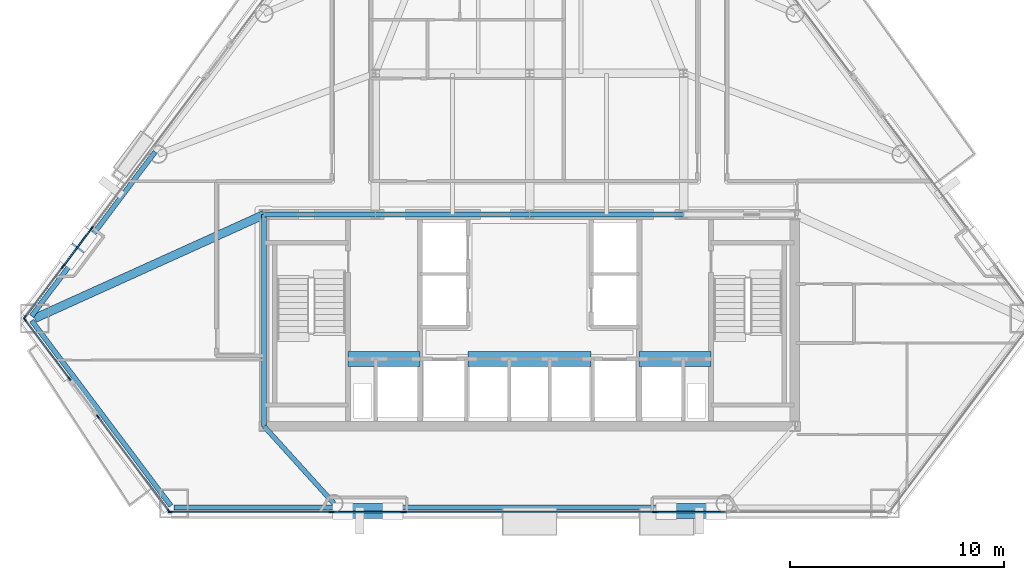
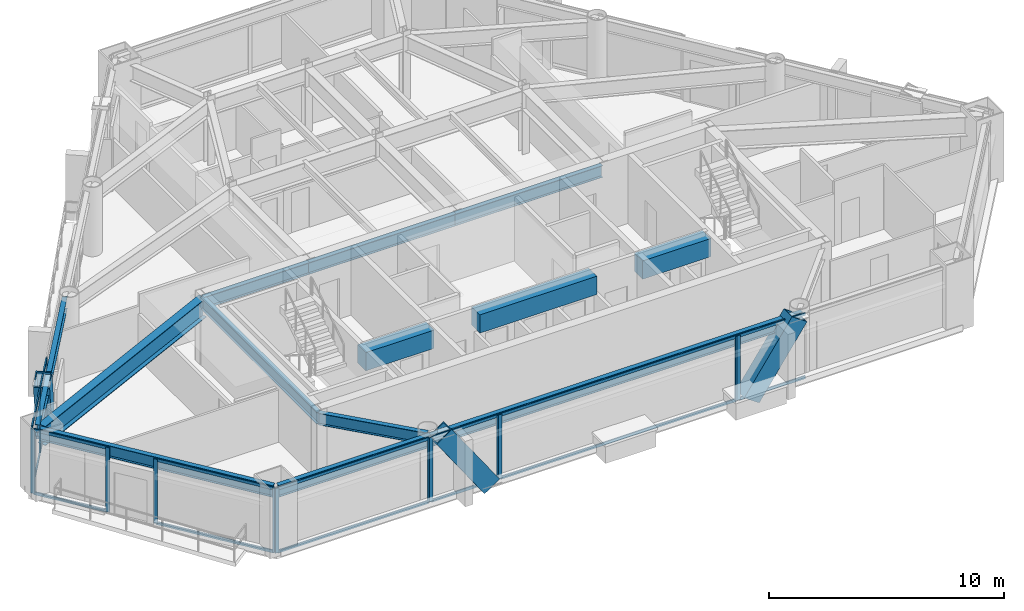
# One storey, part 2 of 10: 35 members, 13 beams, 9 elements without a shape of their own.
"""IFC4 building model written with IfcOpenShell, lengths in metres."""

import ifcopenshell
import ifcopenshell.guid

model = None  # the IFC model being written
_history = None  # IfcOwnerHistory: only IFC2X3 demands one
_inside = {}  # id of a spatial element -> (the spatial element, [elements in it])
_under = {}  # id of a project, library or spatial element -> (it, [spatial elements below it])
_declared = {}  # id of a project -> (the project, [libraries it declares])
_typed = {}  # id of a type object -> (the type object, [elements of that type])
_made_of = {}  # id of a material, layer set ... -> (it, [elements and type objects made of it])


def new_model(schema):
    """Start an empty IFC model of exactly this schema.

    Asked for "IFC4X3", IfcOpenShell would pick the latest addendum, in which some entities
    have other attributes; the version numbers below select the first issue.
    IFC2X3 requires an IfcOwnerHistory on every rooted entity: one is made here for all.
    """
    global model, _history
    if schema == "IFC4X3":
        model = ifcopenshell.file(schema_version=(4, 3, 0, 0))
    else:
        model = ifcopenshell.file(schema=schema)
    _inside.clear()
    _under.clear()
    _declared.clear()
    _typed.clear()
    _made_of.clear()
    _history = None
    if model.schema == "IFC2X3":
        org = make("IfcOrganization", Name="unknown")
        user = make(
            "IfcPersonAndOrganization",
            ThePerson=make("IfcPerson", FamilyName="unknown"),
            TheOrganization=org,
        )
        app = make(
            "IfcApplication",
            ApplicationDeveloper=org,
            Version="unknown",
            ApplicationFullName="unknown",
            ApplicationIdentifier="unknown",
        )
        _history = make(
            "IfcOwnerHistory",
            OwningUser=user,
            OwningApplication=app,
            ChangeAction="ADDED",
            CreationDate=0,
        )
    return model


def make(cls, **values):
    """One entity of the class cls with the attributes given. An attribute that is None is left unset."""
    return model.create_entity(
        cls, **{name: value for name, value in values.items() if value is not None}
    )


def rooted(cls, **values):
    """An entity with a GlobalId (a new one), such as an element, a storey or a relation."""
    return make(cls, GlobalId=ifcopenshell.guid.new(), OwnerHistory=_history, **values)


def si_unit(unit_type, name, prefix=None):
    """IfcSIUnit, for example si_unit("LENGTHUNIT", "METRE", prefix="MILLI")."""
    return make("IfcSIUnit", UnitType=unit_type, Prefix=prefix, Name=name)


def assignment(units):
    """IfcUnitAssignment: the units of a project."""
    return None if units is None else make("IfcUnitAssignment", Units=units)


def point(xyz):
    """IfcCartesianPoint."""
    return None if xyz is None else make("IfcCartesianPoint", Coordinates=xyz)


def direction(xyz):
    """IfcDirection."""
    return None if xyz is None else make("IfcDirection", DirectionRatios=xyz)


def frame(location, z_axis=None, x_axis=None):
    """IfcAxis2Placement3D, a coordinate frame: its origin and axes. An axis left out is left unset."""
    return make(
        "IfcAxis2Placement3D",
        Location=point(location),
        Axis=direction(z_axis),
        RefDirection=direction(x_axis),
    )


def frame_2d(location, x_axis=None):
    """IfcAxis2Placement2D, a coordinate frame in the plane: its origin and x axis."""
    return make(
        "IfcAxis2Placement2D", Location=point(location), RefDirection=direction(x_axis)
    )


def origin():
    """The frame at (0, 0, 0) with its axes left unset."""
    return frame((0.0, 0.0, 0.0))


def origin_2d():
    """The frame at (0, 0) in the plane with its x axis left unset."""
    return frame_2d((0.0, 0.0))


def place(relative_to, where):
    """IfcLocalPlacement: puts the frame where relative to a parent placement (None: the world)."""
    return make(
        "IfcLocalPlacement", PlacementRelTo=relative_to, RelativePlacement=where
    )


def context(
    kind, dimensions, precision=None, world=None, true_north=None, identifier=None
):
    """IfcGeometricRepresentationContext, for example the 3D "Model" context."""
    return make(
        "IfcGeometricRepresentationContext",
        ContextIdentifier=identifier,
        ContextType=kind,
        CoordinateSpaceDimension=dimensions,
        Precision=precision,
        WorldCoordinateSystem=world,
        TrueNorth=true_north,
    )


def subcontext(parent, identifier, kind, view, scale=None):
    """IfcGeometricRepresentationSubContext, for example "Body" below "Model"."""
    return make(
        "IfcGeometricRepresentationSubContext",
        ContextIdentifier=identifier,
        ContextType=kind,
        ParentContext=parent,
        TargetScale=scale,
        TargetView=view,
    )


def project(units=None, contexts=None):
    """IfcProject with its units and contexts."""
    return rooted(
        "IfcProject",
        Name="project",
        RepresentationContexts=contexts,
        UnitsInContext=assignment(units),
    )


def spatial(cls, under=None, at=None, **own):
    """A site, building, storey or space (cls), placed at a placement, below another one or the project."""
    s = rooted(cls, ObjectPlacement=at, **own)
    if under is not None:
        _under.setdefault(under.id(), (under, []))[1].append(s)
    return s


def profile(cls, at=None, kind="AREA", **sizes):
    """A parametric profile (cls). Its sizes go by their IFC names, for example OverallWidth=200.0."""
    return make(cls, ProfileType=kind, Position=at, **sizes)


def rectangle(**sizes):
    """IfcRectangleProfileDef."""
    return profile("IfcRectangleProfileDef", **sizes)


def hollow_rectangle(**sizes):
    """IfcRectangleHollowProfileDef."""
    return profile("IfcRectangleHollowProfileDef", **sizes)


def i_section(**sizes):
    """IfcIShapeProfileDef."""
    return profile("IfcIShapeProfileDef", **sizes)


def extrude(swept, where, along, depth):
    """IfcExtrudedAreaSolid: the profile swept, set in the frame where, extruded along a direction by depth."""
    return make(
        "IfcExtrudedAreaSolid",
        SweptArea=swept,
        Position=where,
        ExtrudedDirection=direction(along),
        Depth=depth,
    )


def shape(context_of_items, identifier, shape_type, items):
    """IfcShapeRepresentation: the items that make up one representation, for example the "Body"."""
    return make(
        "IfcShapeRepresentation",
        ContextOfItems=context_of_items,
        RepresentationIdentifier=identifier,
        RepresentationType=shape_type,
        Items=items,
    )


def material(Name=None, Category=None):
    """IfcMaterial."""
    return make("IfcMaterial", Name=Name, Category=Category)


def layer(
    of_material, thickness, ventilated=None, Name=None, Category=None, Priority=None
):
    """IfcMaterialLayer: one layer of a wall or slab, of a material (None: an air gap)."""
    return make(
        "IfcMaterialLayer",
        Material=of_material,
        LayerThickness=thickness,
        IsVentilated=ventilated,
        Name=Name,
        Category=Category,
        Priority=Priority,
    )


def layer_set(layers, Name=None):
    """IfcMaterialLayerSet."""
    return make("IfcMaterialLayerSet", MaterialLayers=layers, LayerSetName=Name)


def material_profile(
    of_material, cross_section, Name=None, Category=None, Priority=None
):
    """IfcMaterialProfile: a cross section and its material."""
    return make(
        "IfcMaterialProfile",
        Name=Name,
        Material=of_material,
        Profile=cross_section,
        Priority=Priority,
        Category=Category,
    )


def profile_set(profiles, Name=None, composite=None):
    """IfcMaterialProfileSet."""
    return make(
        "IfcMaterialProfileSet",
        Name=Name,
        MaterialProfiles=profiles,
        CompositeProfile=composite,
    )


def made_of(thing, what):
    """Note that an element or type object is made of a material, layer set ...; save() writes the relation."""
    if what is not None:
        _made_of.setdefault(what.id(), (what, []))[1].append(thing)
    return thing


def type_object(cls, material=None, **own):
    """A type object (cls), such as IfcWallType, which elements share."""
    return made_of(rooted(cls, **own), material)


def element(
    cls,
    number,
    at=None,
    inside=None,
    cuts=None,
    type_object=None,
    material=None,
    context=None,
    identifier="Body",
    shape_type=None,
    held_by="IfcProductDefinitionShape",
    body=None,
    shapes=None,
    **own,
):
    """One element of the class cls, such as IfcWall. Its Tag is "e" and its number.

    at: its placement. inside: the storey or other place that contains it. cuts: it is an
    opening in that element (IfcRelVoidsElement). A single representation is given by context,
    identifier, shape_type and body (its items); several are given by shapes. held_by: the class
    of the entity that holds the representations. save() writes the other relations.
    """
    e = rooted(cls, Tag="e%d" % number, ObjectPlacement=at, **own)
    if body is not None:
        shapes = [shape(context, identifier, shape_type, body)]
    if shapes is not None:
        e.Representation = make(held_by, Representations=shapes)
    if inside is not None:
        _inside.setdefault(inside.id(), (inside, []))[1].append(e)
    if cuts is not None:
        rooted(
            "IfcRelVoidsElement", RelatingBuildingElement=cuts, RelatedOpeningElement=e
        )
    if type_object is not None:
        _typed.setdefault(type_object.id(), (type_object, []))[1].append(e)
    return made_of(e, material)


def aggregate(whole, parts):
    """IfcRelAggregates: a whole, such as a stair, and the parts it consists of."""
    return rooted("IfcRelAggregates", RelatingObject=whole, RelatedObjects=parts)


def save(model, path):
    """Write the relations noted so far, then the file.

    IfcRelAggregates (storeys below a building ...), IfcRelContainedInSpatialStructure (elements
    in a storey), IfcRelDefinesByType, IfcRelAssociatesMaterial and IfcRelDeclares: one each for
    every whole, place, type object, material and project.
    """
    for whole, parts in _under.values():
        aggregate(whole, parts)
    for where, things in _inside.values():
        rooted(
            "IfcRelContainedInSpatialStructure",
            RelatedElements=things,
            RelatingStructure=where,
        )
    for kind, things in _typed.values():
        rooted("IfcRelDefinesByType", RelatedObjects=things, RelatingType=kind)
    for what, things in _made_of.values():
        rooted("IfcRelAssociatesMaterial", RelatedObjects=things, RelatingMaterial=what)
    for by, libraries in _declared.values():
        rooted("IfcRelDeclares", RelatingContext=by, RelatedDefinitions=libraries)
    model.write(path)


model = new_model("IFC4")

# Units and contexts
model_context = context("Model", 3, precision=1e-05, world=origin(), true_north=direction((0.0, 1.0)))
body_context = subcontext(model_context, "Body", "Model", "MODEL_VIEW")
ifc_project = project(units=[si_unit("LENGTHUNIT", "METRE"), si_unit("AREAUNIT", "SQUARE_METRE"), si_unit("VOLUMEUNIT", "CUBIC_METRE"), si_unit("PLANEANGLEUNIT", "RADIAN"), si_unit("MASSUNIT", "GRAM", prefix="KILO")], contexts=[model_context])

# Site, building, storey
site_placement = place(None, origin())
site = spatial("IfcSite", under=ifc_project, at=site_placement, CompositionType="ELEMENT")
building_placement = place(site_placement, origin())
building = spatial("IfcBuilding", under=site, at=building_placement, Name="Talgorran Terracotta Tower", CompositionType="ELEMENT")
storey_placement = place(building_placement, frame((0.0, 0.0, 82.800048828125)))
storey = spatial("IfcBuildingStorey", under=building, at=storey_placement, Name="L21", CompositionType="ELEMENT", Elevation=82.800048828125)

# Beams
ifc_material_1 = material(Name="Steel Grade 350 (350L0)", Category="steel")
ifc_material_profile_1 = material_profile(ifc_material_1, i_section(OverallWidth=0.39990234375, OverallDepth=1.0, WebThickness=0.01611328125, FlangeThickness=0.031005859375, at=origin_2d()), Name="1000WB296")
ifc_profile_set_1 = profile_set([ifc_material_profile_1], Name="Steel Grade 350 (350L0)")
beam_type_1 = type_object("IfcBeamType", Name="BM_1000WB296", PredefinedType="BEAM", material=ifc_profile_set_1)
beam_1_placement = place(storey_placement, frame((-12.39990234375, -4.199951171875, 2.849853515625), z_axis=(-0.911027575062, -0.412345434651, 0.0), x_axis=(0.412345434651, -0.911027575062, 0.0)))
element("IfcBeam", 1, at=beam_1_placement, inside=storey, type_object=beam_type_1, Name="L21 Floor Girder G17", PredefinedType="BEAM", context=body_context, shape_type="SweptSolid", body=[
    extrude(i_section(OverallWidth=0.39990234375, OverallDepth=1.0, WebThickness=0.01611328125, FlangeThickness=0.031005859375, at=origin_2d()), origin(), (0.0, 0.0, 1.0), 11.766357421875),
])
ifc_material_2 = material(Name="Concrete C65/80", Category="concrete")
ifc_material_profile_2 = material_profile(ifc_material_2, rectangle(XDim=0.699951171875, YDim=0.949951171875, at=origin_2d()), Name="RCCB700X950")
ifc_profile_set_2 = profile_set([ifc_material_profile_2], Name="Concrete C65/80")
beam_type_2 = type_object("IfcBeamType", Name="BM_CB_700X950", PredefinedType="LINTEL", material=ifc_profile_set_2)
beam_2_placement = place(storey_placement, frame((-8.47998046875, -10.949951171875, 2.875), z_axis=(1.0, 0.0, 0.0), x_axis=(0.0, 1.0, 0.0)))
element("IfcBeam", 2, at=beam_2_placement, inside=storey, type_object=beam_type_2, Name="L21 Core Shear-Wall Coupling Beam CB1", PredefinedType="LINTEL", context=body_context, shape_type="SweptSolid", body=[
    extrude(rectangle(XDim=0.699951171875, YDim=0.949951171875, at=origin_2d()), origin(), (0.0, 0.0, 1.0), 3.35986328125),
])
beam_3_placement = place(storey_placement, frame((-2.8798828125, -10.949951171875, 2.875), z_axis=(1.0, 0.0, 0.0), x_axis=(0.0, 1.0, 0.0)))
element("IfcBeam", 3, at=beam_3_placement, inside=storey, type_object=beam_type_2, Name="L21 Core Shear-Wall Coupling Beam CB2", PredefinedType="LINTEL", context=body_context, shape_type="SweptSolid", body=[
    extrude(rectangle(XDim=0.699951171875, YDim=0.949951171875, at=origin_2d()), origin(), (0.0, 0.0, 1.0), 5.759765625),
])
beam_4_placement = place(storey_placement, frame((5.1201171875, -10.949951171875, 2.875), z_axis=(1.0, 0.0, 0.0), x_axis=(0.0, 1.0, 0.0)))
element("IfcBeam", 4, at=beam_4_placement, inside=storey, type_object=beam_type_2, Name="L21 Core Shear-Wall Coupling Beam CB3", PredefinedType="LINTEL", context=body_context, shape_type="SweptSolid", body=[
    extrude(rectangle(XDim=0.699951171875, YDim=0.949951171875, at=origin_2d()), origin(), (0.0, 0.0, 1.0), 3.35986328125),
])
ifc_material_3 = material(Name="Steel S355 (300PLUS)", Category="steel")
ifc_material_profile_3 = material_profile(ifc_material_3, i_section(OverallWidth=0.22900390625, OverallDepth=0.611572265625, WebThickness=0.011962890625, FlangeThickness=0.01953125, at=origin_2d()), Name="610UB125")
ifc_profile_set_3 = profile_set([ifc_material_profile_3], Name="Steel S355 (300PLUS)")
beam_type_3 = type_object("IfcBeamType", Name="BM_SP_610UB125", PredefinedType="SPANDREL", material=ifc_profile_set_3)
beam_5_placement = place(storey_placement, frame((-23.263427734375, -9.159912109375, 3.044189453125), z_axis=(0.601053302012, -0.799208938976, 0.0), x_axis=(0.799208938976, 0.601053302012, 0.0)))
element("IfcBeam", 5, at=beam_5_placement, inside=storey, type_object=beam_type_3, Name="L21 Perimeter Spandrel Beam MC1-MC2", PredefinedType="SPANDREL", context=body_context, shape_type="SweptSolid", body=[
    extrude(i_section(OverallWidth=0.22900390625, OverallDepth=0.611572265625, WebThickness=0.011962890625, FlangeThickness=0.01953125, at=origin_2d()), origin(), (0.0, 0.0, 1.0), 10.82373046875),
])
beam_6_placement = place(storey_placement, frame((-16.61376953125, -17.882080078125, 3.044189453125), z_axis=(1.0, 0.0, 0.0), x_axis=(0.0, 1.0, 0.0)))
element("IfcBeam", 6, at=beam_6_placement, inside=storey, type_object=beam_type_3, Name="L21 Perimeter Spandrel Beam MC2-FC1", PredefinedType="SPANDREL", context=body_context, shape_type="SweptSolid", body=[
    extrude(i_section(OverallWidth=0.22900390625, OverallDepth=0.611572265625, WebThickness=0.011962890625, FlangeThickness=0.01953125, at=origin_2d()), origin(), (0.0, 0.0, 1.0), 7.47607421875),
])
beam_7_placement = place(storey_placement, frame((-9.1376953125, -17.882080078125, 3.044189453125), z_axis=(1.0, 0.0, 0.0), x_axis=(0.0, 1.0, 0.0)))
element("IfcBeam", 7, at=beam_7_placement, inside=storey, type_object=beam_type_3, Name="L21 Perimeter Spandrel Beam FC1-FC2", PredefinedType="SPANDREL", context=body_context, shape_type="SweptSolid", body=[
    extrude(i_section(OverallWidth=0.22900390625, OverallDepth=0.611572265625, WebThickness=0.011962890625, FlangeThickness=0.01953125, at=origin_2d()), origin(), (0.0, 0.0, 1.0), 18.275390625),
])
beam_8_placement = place(storey_placement, frame((-17.494384765625, -1.272705078125, 3.044189453125), z_axis=(-0.601057621452, -0.799205690479, 0.0), x_axis=(0.799205690479, -0.601057621452, 0.0)))
element("IfcBeam", 8, at=beam_8_placement, inside=storey, type_object=beam_type_3, Name="L21 Perimeter Spandrel Beam FC6-MC1", PredefinedType="SPANDREL", context=body_context, shape_type="SweptSolid", body=[
    extrude(i_section(OverallWidth=0.22900390625, OverallDepth=0.611572265625, WebThickness=0.011962890625, FlangeThickness=0.01953125, at=origin_2d()), origin(), (0.0, 0.0, 1.0), 9.59814453125),
])
beam_9_placement = place(storey_placement, frame((-9.1376953125, -17.7021484375, 3.044189453125), z_axis=(-0.671276308116, 0.741207203259, 0.0), x_axis=(-0.741207203259, -0.671276308116, 0.0)))
element("IfcBeam", 9, at=beam_9_placement, inside=storey, type_object=beam_type_3, Name="L21 South-West Core Tie Beam", PredefinedType="SPANDREL", context=body_context, shape_type="SweptSolid", body=[
    extrude(i_section(OverallWidth=0.22900390625, OverallDepth=0.611572265625, WebThickness=0.011962890625, FlangeThickness=0.01953125, at=origin_2d()), origin(), (0.0, 0.0, 1.0), 4.859619140625),
])
beam_10_placement = place(storey_placement, frame((-12.39990234375, -14.10009765625, 3.044189453125), z_axis=(0.0, 1.0, 0.0), x_axis=(-1.0, 0.0, 0.0)))
element("IfcBeam", 10, at=beam_10_placement, inside=storey, type_object=beam_type_3, Name="L21 Core Frame Beam CFW", PredefinedType="SPANDREL", context=body_context, shape_type="SweptSolid", body=[
    extrude(i_section(OverallWidth=0.22900390625, OverallDepth=0.611572265625, WebThickness=0.011962890625, FlangeThickness=0.01953125, at=origin_2d()), origin(), (0.0, 0.0, 1.0), 9.900146484375),
])
beam_11_placement = place(storey_placement, frame((-12.39990234375, -4.199951171875, 3.044189453125), z_axis=(1.0, 0.0, 0.0), x_axis=(0.0, 1.0, 0.0)))
element("IfcBeam", 11, at=beam_11_placement, inside=storey, type_object=beam_type_3, Name="L21 Core Frame Beam CFN1", PredefinedType="SPANDREL", context=body_context, shape_type="SweptSolid", body=[
    extrude(i_section(OverallWidth=0.22900390625, OverallDepth=0.611572265625, WebThickness=0.011962890625, FlangeThickness=0.01953125, at=origin_2d()), origin(), (0.0, 0.0, 1.0), 5.199951171875),
])
for number, where, z_axis, x_axis, name in (
    (12, (-7.199951171875, -4.199951171875, 3.044189453125), (1.0, 0.0, 0.0), (0.0, 1.0, 0.0), "L21 Core Frame Beam CFN2"),
    (13, (0.0, -4.199951171875, 3.044189453125), (1.0, 0.0, 0.0), (0.0, 1.0, 0.0), "L21 Core Frame Beam CFN3"),
):
    element("IfcBeam", number, at=place(storey_placement, frame(where, z_axis=z_axis, x_axis=x_axis)), inside=storey, type_object=beam_type_3, Name=name, PredefinedType="SPANDREL", context=body_context, shape_type="SweptSolid", body=[
        extrude(i_section(OverallWidth=0.22900390625, OverallDepth=0.611572265625, WebThickness=0.011962890625, FlangeThickness=0.01953125, at=origin_2d()), origin(), (0.0, 0.0, 1.0), 7.199951171875),
    ])

# Members
ifc_material_profile_4 = material_profile(ifc_material_1, hollow_rectangle(XDim=0.699951171875, YDim=0.89990234375, WallThickness=0.050048828125, at=origin_2d()), Name="WBOX900X700X50")
ifc_profile_set_4 = profile_set([ifc_material_profile_4], Name="Steel Grade 350 (350L0)")
member_type_1 = type_object("IfcMemberType", Name="MB_MEGA_900", PredefinedType="BRACE", material=ifc_profile_set_4)
for number, where, z_axis, x_axis, name in (
    (14, (-6.381591796875, -18.062255859375, -0.025146484375), (-0.568740010953, 0.0, 0.822517355404), (0.0, -1.0, 0.0), "L21 Exterior Face Mega-Brace MB-1 (SWF)"),
    (15, (6.381591796875, -18.062255859375, -0.025146484375), (0.568740010953, 0.0, 0.822517355404), (0.0, 1.0, 0.0), "L21 Exterior Face Mega-Brace MB-1 (SEF)"),
):
    element("IfcMember", number, at=place(storey_placement, frame(where, z_axis=z_axis, x_axis=x_axis)), inside=storey, type_object=member_type_1, Name=name, PredefinedType="BRACE", context=body_context, shape_type="SweptSolid", body=[
        extrude(hollow_rectangle(XDim=0.699951171875, YDim=0.89990234375, WallThickness=0.050048828125, at=origin_2d()), origin(), (0.0, 0.0, 1.0), 4.1337890625),
    ])
member_1_placement = place(storey_placement, frame((-20.788818359375, -5.353759765625, -0.025146484375), z_axis=(-0.174459396222, -0.231971217663, 0.956949984715), x_axis=(0.79920388083, -0.601060027674, 0.0)))
element("IfcMember", 16, at=member_1_placement, inside=storey, type_object=member_type_1, Name="L21 Exterior Face Mega-Brace MB-1 (NWL)", PredefinedType="BRACE", context=body_context, shape_type="SweptSolid", body=[
    extrude(hollow_rectangle(XDim=0.699951171875, YDim=0.89990234375, WallThickness=0.050048828125, at=origin_2d()), origin(), (0.0, 0.0, 1.0), 3.55322265625),
])

# Curtain wall, members
ifc_material_4 = material(Name="Unitised Low-E Double Glazing", Category="glass")
ifc_layer = layer(ifc_material_4, 0.199951171875, Name="CW_SYS2_RES_LOW")
ifc_layer_set = layer_set([ifc_layer], Name="Unitised Low-E Double Glazing")
curtain_wall_type = type_object("IfcCurtainWallType", Name="CW_SYS2_RES_LOW", PredefinedType="NOTDEFINED", material=ifc_layer_set)
curtain_wall_1_placement = place(storey_placement, origin())
curtain_wall_1 = element("IfcCurtainWall", 17, at=curtain_wall_1_placement, inside=storey, type_object=curtain_wall_type, Name="CW-L21-F10", PredefinedType="NOTDEFINED")
ifc_material_5 = material(Name="Architectural Aluminium 6063-T6", Category="aluminium")
ifc_material_profile_5 = material_profile(ifc_material_5, rectangle(XDim=0.06494140625, YDim=0.18505859375, at=origin_2d()), Name="CWM65X185")
ifc_profile_set_5 = profile_set([ifc_material_profile_5], Name="Architectural Aluminium 6063-T6")
member_type_2 = type_object("IfcMemberType", Name="MUL_65X185", PredefinedType="MULLION", material=ifc_profile_set_5)
member_2_placement = place(storey_placement, frame((-23.576416015625, -9.109619140625, 0.0), z_axis=(0.0, 0.0, 1.0), x_axis=(0.799200033249, 0.601065143603, 0.0)))
member_2 = element("IfcMember", 18, at=member_2_placement, type_object=member_type_2, Name="CW-L21-10 mullion 1", PredefinedType="MULLION", context=body_context, shape_type="SweptSolid", body=[
    extrude(rectangle(XDim=0.06494140625, YDim=0.18505859375, at=origin_2d()), origin(), (0.0, 0.0, 1.0), 3.349853515625),
])
member_3_placement = place(storey_placement, frame((-21.50390625, -11.865478515625, 0.0), z_axis=(0.0, 0.0, 1.0), x_axis=(0.799200033249, 0.601065143603, 0.0)))
member_3 = element("IfcMember", 19, at=member_3_placement, type_object=member_type_2, Name="CW-L21-10 mullion 2", PredefinedType="MULLION", context=body_context, shape_type="SweptSolid", body=[
    extrude(rectangle(XDim=0.06494140625, YDim=0.18505859375, at=origin_2d()), origin(), (0.0, 0.0, 1.0), 3.349853515625),
])

curtain_wall_2_placement = place(storey_placement, origin())
curtain_wall_2 = element("IfcCurtainWall", 20, at=curtain_wall_2_placement, inside=storey, type_object=curtain_wall_type, Name="CW-L21-F11", PredefinedType="NOTDEFINED")
member_4_placement = place(storey_placement, frame((-20.16650390625, -13.643798828125, 0.0), z_axis=(0.0, 0.0, 1.0), x_axis=(0.799206629029, 0.601056373493, 0.0)))
member_4 = element("IfcMember", 21, at=member_4_placement, type_object=member_type_2, Name="CW-L21-11 mullion 1", PredefinedType="MULLION", context=body_context, shape_type="SweptSolid", body=[
    extrude(rectangle(XDim=0.06494140625, YDim=0.18505859375, at=origin_2d()), origin(), (0.0, 0.0, 1.0), 3.349853515625),
])
member_5_placement = place(storey_placement, frame((-16.85693359375, -18.044189453125, 0.0), z_axis=(0.0, 0.0, 1.0), x_axis=(0.799206629029, 0.601056373493, 0.0)))
member_5 = element("IfcMember", 22, at=member_5_placement, type_object=member_type_2, Name="CW-L21-11 mullion 2", PredefinedType="MULLION", context=body_context, shape_type="SweptSolid", body=[
    extrude(rectangle(XDim=0.06494140625, YDim=0.18505859375, at=origin_2d()), origin(), (0.0, 0.0, 1.0), 3.349853515625),
])

curtain_wall_3_placement = place(storey_placement, origin())
curtain_wall_3 = element("IfcCurtainWall", 23, at=curtain_wall_3_placement, inside=storey, type_object=curtain_wall_type, Name="CW-L21-F1", PredefinedType="NOTDEFINED")
member_6_placement = place(storey_placement, frame((-16.781005859375, -18.102294921875, 0.0), z_axis=(0.0, 0.0, 1.0), x_axis=(0.0, 1.0, 0.0)))
member_6 = element("IfcMember", 24, at=member_6_placement, type_object=member_type_2, Name="CW-L21-1 mullion 1", PredefinedType="MULLION", context=body_context, shape_type="SweptSolid", body=[
    extrude(rectangle(XDim=0.06494140625, YDim=0.18505859375, at=origin_2d()), origin(), (0.0, 0.0, 1.0), 3.349853515625),
])
member_7_placement = place(storey_placement, frame((-9.290283203125, -18.102294921875, 0.0), z_axis=(0.0, 0.0, 1.0), x_axis=(0.0, 1.0, 0.0)))
member_7 = element("IfcMember", 25, at=member_7_placement, type_object=member_type_2, Name="CW-L21-1 mullion 2", PredefinedType="MULLION", context=body_context, shape_type="SweptSolid", body=[
    extrude(rectangle(XDim=0.06494140625, YDim=0.18505859375, at=origin_2d()), origin(), (0.0, 0.0, 1.0), 3.349853515625),
])

curtain_wall_4_placement = place(storey_placement, origin())
curtain_wall_4 = element("IfcCurtainWall", 26, at=curtain_wall_4_placement, inside=storey, type_object=curtain_wall_type, Name="CW-L21-F1B", PredefinedType="NOTDEFINED")
member_8_placement = place(storey_placement, frame((-9.215087890625, -18.102294921875, 0.0), z_axis=(0.0, 0.0, 1.0), x_axis=(0.0, 1.0, 0.0)))
member_8 = element("IfcMember", 27, at=member_8_placement, type_object=member_type_2, Name="CW-L21-1B mullion 1", PredefinedType="MULLION", context=body_context, shape_type="SweptSolid", body=[
    extrude(rectangle(XDim=0.06494140625, YDim=0.18505859375, at=origin_2d()), origin(), (0.0, 0.0, 1.0), 3.349853515625),
])
member_9_placement = place(storey_placement, frame((-5.89892578125, -18.102294921875, 0.0), z_axis=(0.0, 0.0, 1.0), x_axis=(0.0, 1.0, 0.0)))
member_9 = element("IfcMember", 28, at=member_9_placement, type_object=member_type_2, Name="CW-L21-1B mullion 2", PredefinedType="MULLION", context=body_context, shape_type="SweptSolid", body=[
    extrude(rectangle(XDim=0.06494140625, YDim=0.18505859375, at=origin_2d()), origin(), (0.0, 0.0, 1.0), 3.349853515625),
])

curtain_wall_5_placement = place(storey_placement, origin())
curtain_wall_5 = element("IfcCurtainWall", 29, at=curtain_wall_5_placement, inside=storey, type_object=curtain_wall_type, Name="CW-L21-F1C", PredefinedType="NOTDEFINED")
member_10_placement = place(storey_placement, frame((-5.823974609375, -18.102294921875, 0.0), z_axis=(0.0, 0.0, 1.0), x_axis=(0.0, 1.0, 0.0)))
member_10 = element("IfcMember", 30, at=member_10_placement, type_object=member_type_2, Name="CW-L21-1C mullion 1", PredefinedType="MULLION", context=body_context, shape_type="SweptSolid", body=[
    extrude(rectangle(XDim=0.06494140625, YDim=0.18505859375, at=origin_2d()), origin(), (0.0, 0.0, 1.0), 3.349853515625),
])
member_11_placement = place(storey_placement, frame((5.823974609375, -18.102294921875, 0.0), z_axis=(0.0, 0.0, 1.0), x_axis=(0.0, 1.0, 0.0)))
member_11 = element("IfcMember", 31, at=member_11_placement, type_object=member_type_2, Name="CW-L21-1C mullion 2", PredefinedType="MULLION", context=body_context, shape_type="SweptSolid", body=[
    extrude(rectangle(XDim=0.06494140625, YDim=0.18505859375, at=origin_2d()), origin(), (0.0, 0.0, 1.0), 3.349853515625),
])

# Curtain wall, member
curtain_wall_6_placement = place(storey_placement, origin())
curtain_wall_6 = element("IfcCurtainWall", 32, at=curtain_wall_6_placement, inside=storey, type_object=curtain_wall_type, Name="CW-L21-F1D", PredefinedType="NOTDEFINED")
member_12_placement = place(storey_placement, frame((5.89892578125, -18.102294921875, 0.0), z_axis=(0.0, 0.0, 1.0), x_axis=(0.0, 1.0, 0.0)))
member_12 = element("IfcMember", 33, at=member_12_placement, type_object=member_type_2, Name="CW-L21-1D mullion 1", PredefinedType="MULLION", context=body_context, shape_type="SweptSolid", body=[
    extrude(rectangle(XDim=0.06494140625, YDim=0.18505859375, at=origin_2d()), origin(), (0.0, 0.0, 1.0), 3.349853515625),
])

curtain_wall_7_placement = place(storey_placement, origin())
curtain_wall_7 = element("IfcCurtainWall", 34, at=curtain_wall_7_placement, inside=storey, type_object=curtain_wall_type, Name="CW-L21-F61", PredefinedType="NOTDEFINED")
member_13_placement = place(storey_placement, frame((-20.449462890625, -4.835693359375, 0.0), z_axis=(0.0, 0.0, 1.0), x_axis=(0.799217391959, -0.601042062081, 0.0)))
member_13 = element("IfcMember", 35, at=member_13_placement, type_object=member_type_2, Name="CW-L21-61 mullion 2", PredefinedType="MULLION", context=body_context, shape_type="SweptSolid", body=[
    extrude(rectangle(XDim=0.06494140625, YDim=0.18505859375, at=origin_2d()), origin(), (0.0, 0.0, 1.0), 3.349853515625),
])
aggregate(curtain_wall_7, [member_13])

# Curtain wall, members
curtain_wall_8_placement = place(storey_placement, origin())
curtain_wall_8 = element("IfcCurtainWall", 36, at=curtain_wall_8_placement, inside=storey, type_object=curtain_wall_type, Name="CW-L21-F61B", PredefinedType="NOTDEFINED")
member_14_placement = place(storey_placement, frame((-20.49462890625, -4.8955078125, 0.0), z_axis=(0.0, 0.0, 1.0), x_axis=(0.799213066718, -0.601047813395, 0.0)))
member_14 = element("IfcMember", 37, at=member_14_placement, type_object=member_type_2, Name="CW-L21-61B mullion 1", PredefinedType="MULLION", context=body_context, shape_type="SweptSolid", body=[
    extrude(rectangle(XDim=0.06494140625, YDim=0.18505859375, at=origin_2d()), origin(), (0.0, 0.0, 1.0), 3.349853515625),
])
member_15_placement = place(storey_placement, frame((-21.767333984375, -6.587890625, 0.0), z_axis=(0.0, 0.0, 1.0), x_axis=(0.799213066718, -0.601047813395, 0.0)))
member_15 = element("IfcMember", 38, at=member_15_placement, type_object=member_type_2, Name="CW-L21-61B mullion 2", PredefinedType="MULLION", context=body_context, shape_type="SweptSolid", body=[
    extrude(rectangle(XDim=0.06494140625, YDim=0.18505859375, at=origin_2d()), origin(), (0.0, 0.0, 1.0), 3.349853515625),
])

curtain_wall_9_placement = place(storey_placement, origin())
curtain_wall_9 = element("IfcCurtainWall", 39, at=curtain_wall_9_placement, inside=storey, type_object=curtain_wall_type, Name="CW-L21-F61C", PredefinedType="NOTDEFINED")
member_16_placement = place(storey_placement, frame((-21.812255859375, -6.64794921875, 0.0), z_axis=(0.0, 0.0, 1.0), x_axis=(0.799223373022, -0.601034108861, 0.0)))
member_16 = element("IfcMember", 40, at=member_16_placement, type_object=member_type_2, Name="CW-L21-61C mullion 1", PredefinedType="MULLION", context=body_context, shape_type="SweptSolid", body=[
    extrude(rectangle(XDim=0.06494140625, YDim=0.18505859375, at=origin_2d()), origin(), (0.0, 0.0, 1.0), 3.349853515625),
])
member_17_placement = place(storey_placement, frame((-23.576416015625, -8.99365234375, 0.0), z_axis=(0.0, 0.0, 1.0), x_axis=(0.799223373022, -0.601034108861, 0.0)))
member_17 = element("IfcMember", 41, at=member_17_placement, type_object=member_type_2, Name="CW-L21-61C mullion 2", PredefinedType="MULLION", context=body_context, shape_type="SweptSolid", body=[
    extrude(rectangle(XDim=0.06494140625, YDim=0.18505859375, at=origin_2d()), origin(), (0.0, 0.0, 1.0), 3.349853515625),
])

# Member
ifc_material_profile_6 = material_profile(ifc_material_5, rectangle(XDim=0.06494140625, YDim=0.14990234375, at=origin_2d()), Name="CWT65X150")
ifc_profile_set_6 = profile_set([ifc_material_profile_6], Name="Architectural Aluminium 6063-T6")
member_type_3 = type_object("IfcMemberType", Name="TRN_65X150", PredefinedType="USERDEFINED", material=ifc_profile_set_6)
member_18_placement = place(storey_placement, frame((-23.556884765625, -9.1357421875, 0.032470703125), z_axis=(0.601050183758, -0.799211284082, 0.0), x_axis=(0.799211284082, 0.601050183758, 0.0)))
member_18 = element("IfcMember", 42, at=member_18_placement, type_object=member_type_3, Name="CW-L21-10 transom 1.1", ObjectType="TRANSOM", PredefinedType="USERDEFINED", context=body_context, shape_type="SweptSolid", body=[
    extrude(rectangle(XDim=0.06494140625, YDim=0.14990234375, at=origin_2d()), origin(), (0.0, 0.0, 1.0), 3.383056640625),
])

member_19_placement = place(storey_placement, frame((-23.556884765625, -9.1357421875, 3.3173828125), z_axis=(0.601050183758, -0.799211284082, 0.0), x_axis=(0.799211284082, 0.601050183758, 0.0)))
member_19 = element("IfcMember", 43, at=member_19_placement, type_object=member_type_3, Name="CW-L21-10 transom 1.2", ObjectType="TRANSOM", PredefinedType="USERDEFINED", context=body_context, shape_type="SweptSolid", body=[
    extrude(rectangle(XDim=0.06494140625, YDim=0.14990234375, at=origin_2d()), origin(), (0.0, 0.0, 1.0), 3.383056640625),
])

aggregate(curtain_wall_1, [member_2, member_3, member_18, member_19])

member_20_placement = place(storey_placement, frame((-20.14697265625, -13.669677734375, 0.032470703125), z_axis=(0.601061963165, -0.799202425194, 0.0), x_axis=(0.799202425194, 0.601061963165, 0.0)))
member_20 = element("IfcMember", 44, at=member_20_placement, type_object=member_type_3, Name="CW-L21-11 transom 1.1", ObjectType="TRANSOM", PredefinedType="USERDEFINED", context=body_context, shape_type="SweptSolid", body=[
    extrude(rectangle(XDim=0.06494140625, YDim=0.14990234375, at=origin_2d()), origin(), (0.0, 0.0, 1.0), 5.441162109375),
])

member_21_placement = place(storey_placement, frame((-20.14697265625, -13.669677734375, 3.3173828125), z_axis=(0.601061963165, -0.799202425194, 0.0), x_axis=(0.799202425194, 0.601061963165, 0.0)))
member_21 = element("IfcMember", 45, at=member_21_placement, type_object=member_type_3, Name="CW-L21-11 transom 1.2", ObjectType="TRANSOM", PredefinedType="USERDEFINED", context=body_context, shape_type="SweptSolid", body=[
    extrude(rectangle(XDim=0.06494140625, YDim=0.14990234375, at=origin_2d()), origin(), (0.0, 0.0, 1.0), 5.441162109375),
])

aggregate(curtain_wall_2, [member_4, member_5, member_20, member_21])

member_22_placement = place(storey_placement, frame((-16.74853515625, -18.102294921875, 0.032470703125), z_axis=(1.0, 0.0, 0.0), x_axis=(0.0, 1.0, 0.0)))
member_22 = element("IfcMember", 46, at=member_22_placement, type_object=member_type_3, Name="CW-L21-1 transom 1.1", ObjectType="TRANSOM", PredefinedType="USERDEFINED", context=body_context, shape_type="SweptSolid", body=[
    extrude(rectangle(XDim=0.06494140625, YDim=0.14990234375, at=origin_2d()), origin(), (0.0, 0.0, 1.0), 7.42578125),
])

member_23_placement = place(storey_placement, frame((-16.74853515625, -18.102294921875, 3.3173828125), z_axis=(1.0, 0.0, 0.0), x_axis=(0.0, 1.0, 0.0)))
member_23 = element("IfcMember", 47, at=member_23_placement, type_object=member_type_3, Name="CW-L21-1 transom 1.2", ObjectType="TRANSOM", PredefinedType="USERDEFINED", context=body_context, shape_type="SweptSolid", body=[
    extrude(rectangle(XDim=0.06494140625, YDim=0.14990234375, at=origin_2d()), origin(), (0.0, 0.0, 1.0), 7.42578125),
])

aggregate(curtain_wall_3, [member_6, member_7, member_22, member_23])

member_24_placement = place(storey_placement, frame((-9.1826171875, -18.102294921875, 0.032470703125), z_axis=(1.0, 0.0, 0.0), x_axis=(0.0, 1.0, 0.0)))
member_24 = element("IfcMember", 48, at=member_24_placement, type_object=member_type_3, Name="CW-L21-1B transom 1.1", ObjectType="TRANSOM", PredefinedType="USERDEFINED", context=body_context, shape_type="SweptSolid", body=[
    extrude(rectangle(XDim=0.06494140625, YDim=0.14990234375, at=origin_2d()), origin(), (0.0, 0.0, 1.0), 3.251220703125),
])

member_25_placement = place(storey_placement, frame((-9.1826171875, -18.102294921875, 3.3173828125), z_axis=(1.0, 0.0, 0.0), x_axis=(0.0, 1.0, 0.0)))
member_25 = element("IfcMember", 49, at=member_25_placement, type_object=member_type_3, Name="CW-L21-1B transom 1.2", ObjectType="TRANSOM", PredefinedType="USERDEFINED", context=body_context, shape_type="SweptSolid", body=[
    extrude(rectangle(XDim=0.06494140625, YDim=0.14990234375, at=origin_2d()), origin(), (0.0, 0.0, 1.0), 3.251220703125),
])

aggregate(curtain_wall_4, [member_8, member_9, member_24, member_25])

member_26_placement = place(storey_placement, frame((-5.79150390625, -18.102294921875, 0.032470703125), z_axis=(1.0, 0.0, 0.0), x_axis=(0.0, 1.0, 0.0)))
member_26 = element("IfcMember", 50, at=member_26_placement, type_object=member_type_3, Name="CW-L21-1C transom 1.1", ObjectType="TRANSOM", PredefinedType="USERDEFINED", context=body_context, shape_type="SweptSolid", body=[
    extrude(rectangle(XDim=0.06494140625, YDim=0.14990234375, at=origin_2d()), origin(), (0.0, 0.0, 1.0), 11.5830078125),
])

member_27_placement = place(storey_placement, frame((-5.79150390625, -18.102294921875, 3.3173828125), z_axis=(1.0, 0.0, 0.0), x_axis=(0.0, 1.0, 0.0)))
member_27 = element("IfcMember", 51, at=member_27_placement, type_object=member_type_3, Name="CW-L21-1C transom 1.2", ObjectType="TRANSOM", PredefinedType="USERDEFINED", context=body_context, shape_type="SweptSolid", body=[
    extrude(rectangle(XDim=0.06494140625, YDim=0.14990234375, at=origin_2d()), origin(), (0.0, 0.0, 1.0), 11.5830078125),
])

aggregate(curtain_wall_5, [member_10, member_11, member_26, member_27])

member_28_placement = place(storey_placement, frame((5.931396484375, -18.102294921875, 0.032470703125), z_axis=(1.0, 0.0, 0.0), x_axis=(0.0, 1.0, 0.0)))
member_28 = element("IfcMember", 52, at=member_28_placement, type_object=member_type_3, Name="CW-L21-1D transom 1.1", ObjectType="TRANSOM", PredefinedType="USERDEFINED", context=body_context, shape_type="SweptSolid", body=[
    extrude(rectangle(XDim=0.06494140625, YDim=0.14990234375, at=origin_2d()), origin(), (0.0, 0.0, 1.0), 3.251220703125),
])

member_29_placement = place(storey_placement, frame((5.931396484375, -18.102294921875, 3.3173828125), z_axis=(1.0, 0.0, 0.0), x_axis=(0.0, 1.0, 0.0)))
member_29 = element("IfcMember", 53, at=member_29_placement, type_object=member_type_3, Name="CW-L21-1D transom 1.2", ObjectType="TRANSOM", PredefinedType="USERDEFINED", context=body_context, shape_type="SweptSolid", body=[
    extrude(rectangle(XDim=0.06494140625, YDim=0.14990234375, at=origin_2d()), origin(), (0.0, 0.0, 1.0), 3.251220703125),
])

aggregate(curtain_wall_6, [member_12, member_28, member_29])

member_30_placement = place(storey_placement, frame((-20.51416015625, -4.921630859375, 0.032470703125), z_axis=(-0.601046232264, -0.799214255805, 0.0), x_axis=(0.799214255805, -0.601046232264, 0.0)))
member_30 = element("IfcMember", 54, at=member_30_placement, type_object=member_type_3, Name="CW-L21-61B transom 1.1", ObjectType="TRANSOM", PredefinedType="USERDEFINED", context=body_context, shape_type="SweptSolid", body=[
    extrude(rectangle(XDim=0.06494140625, YDim=0.14990234375, at=origin_2d()), origin(), (0.0, 0.0, 1.0), 2.052490234375),
])

member_31_placement = place(storey_placement, frame((-20.51416015625, -4.921630859375, 3.3173828125), z_axis=(-0.601046232264, -0.799214255805, 0.0), x_axis=(0.799214255805, -0.601046232264, 0.0)))
member_31 = element("IfcMember", 55, at=member_31_placement, type_object=member_type_3, Name="CW-L21-61B transom 1.2", ObjectType="TRANSOM", PredefinedType="USERDEFINED", context=body_context, shape_type="SweptSolid", body=[
    extrude(rectangle(XDim=0.06494140625, YDim=0.14990234375, at=origin_2d()), origin(), (0.0, 0.0, 1.0), 2.052490234375),
])

aggregate(curtain_wall_8, [member_14, member_15, member_30, member_31])

member_32_placement = place(storey_placement, frame((-21.831787109375, -6.673828125, 0.032470703125), z_axis=(-0.601033827886, -0.799223584322, 0.0), x_axis=(0.799223584322, -0.601033827886, 0.0)))
member_32 = element("IfcMember", 56, at=member_32_placement, type_object=member_type_3, Name="CW-L21-61C transom 1.1", ObjectType="TRANSOM", PredefinedType="USERDEFINED", context=body_context, shape_type="SweptSolid", body=[
    extrude(rectangle(XDim=0.06494140625, YDim=0.14990234375, at=origin_2d()), origin(), (0.0, 0.0, 1.0), 2.8701171875),
])

member_33_placement = place(storey_placement, frame((-21.831787109375, -6.673828125, 3.3173828125), z_axis=(-0.601033827886, -0.799223584322, 0.0), x_axis=(0.799223584322, -0.601033827886, 0.0)))
member_33 = element("IfcMember", 57, at=member_33_placement, type_object=member_type_3, Name="CW-L21-61C transom 1.2", ObjectType="TRANSOM", PredefinedType="USERDEFINED", context=body_context, shape_type="SweptSolid", body=[
    extrude(rectangle(XDim=0.06494140625, YDim=0.14990234375, at=origin_2d()), origin(), (0.0, 0.0, 1.0), 2.8701171875),
])

aggregate(curtain_wall_9, [member_16, member_17, member_32, member_33])

save(model, "model.ifc")
